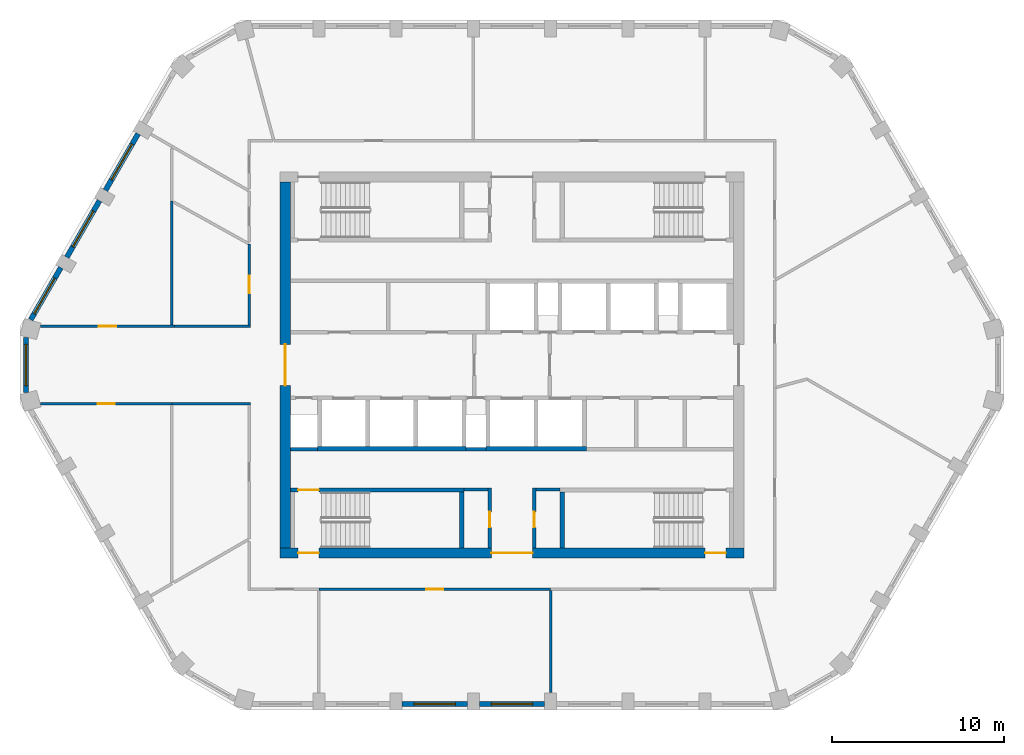
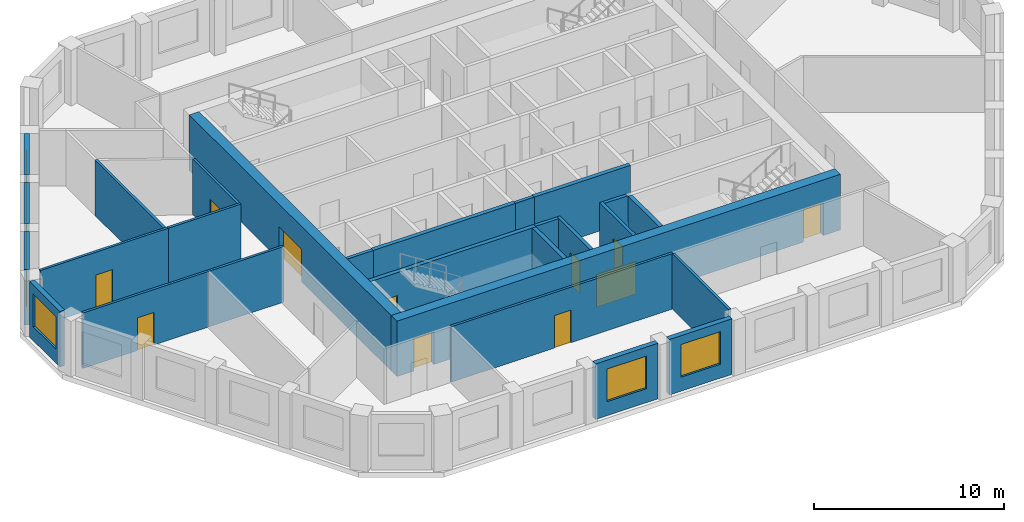
# One storey, part 2 of 7: 27 walls, 11 doors, 6 windows, 17 openings.
"""IFC4 building model written with IfcOpenShell, lengths in metres."""

from ifc_helpers import new_model, si_unit, direction, frame, frame_2d, origin, place, context, subcontext, project, spatial, polyline, rectangle, outline, extrude, material, layer, layer_set, type_object, element, fill, save


model = new_model("IFC4")

# Units and contexts
model_context = context("Model", 3, precision=1e-05, world=origin(), true_north=direction((0.0, 1.0)))
body_context = subcontext(model_context, "Body", "Model", "MODEL_VIEW")
ifc_project = project(units=[si_unit("LENGTHUNIT", "METRE"), si_unit("AREAUNIT", "SQUARE_METRE"), si_unit("VOLUMEUNIT", "CUBIC_METRE"), si_unit("PLANEANGLEUNIT", "RADIAN"), si_unit("MASSUNIT", "GRAM", prefix="KILO")], contexts=[model_context])

# Site, building, storey
site_placement = place(None, origin())
site = spatial("IfcSite", under=ifc_project, at=site_placement, CompositionType="ELEMENT")
building_placement = place(site_placement, origin())
building = spatial("IfcBuilding", under=site, at=building_placement, Name="Dhurran Vertical Campus", CompositionType="ELEMENT")
storey_placement = place(building_placement, frame((0.0, 0.0, 266.39990234375)))
storey = spatial("IfcBuildingStorey", under=building, at=storey_placement, Name="L66", CompositionType="ELEMENT", Elevation=266.39990234375)

# Wall, opening, window
ifc_material_1 = material(Name="Precast concrete C50/60", Category="concrete")
ifc_layer_1 = layer(ifc_material_1, 0.300048828125)
ifc_layer_set_1 = layer_set([ifc_layer_1], Name="Precast concrete C50/60")
wall_type_1 = type_object("IfcWallType", Name="Precast spandrel wall 300", PredefinedType="SOLIDWALL", material=ifc_layer_set_1)
wall_1_placement = place(storey_placement, frame((-6.3994140625, -19.738525390625, 0.0), z_axis=(0.0, 0.0, 1.0), x_axis=(1.0, 0.0, 0.0)))
wall_1 = element("IfcWall", 1, at=wall_1_placement, inside=storey, type_object=wall_type_1, Name="EW1 L66.02", PredefinedType="SOLIDWALL", context=body_context, shape_type="SweptSolid", body=[
    extrude(rectangle(XDim=3.798828125, YDim=0.300048828125, at=frame_2d((1.8994140625, 0.0))), origin(), (0.0, 0.0, 1.0), 3.5751953125),
])
opening_1_placement = place(wall_1_placement, frame((0.699462890625, 0.0, 0.89990234375)))
opening_1 = element("IfcOpeningElement", 2, at=opening_1_placement, cuts=wall_1, Name="Opening WT1", PredefinedType="OPENING", context=body_context, shape_type="SweptSolid", body=[
    extrude(rectangle(XDim=2.39990234375, YDim=2.10009765625, at=frame_2d((1.199951171875, 1.050048828125))), frame((0.0, 0.159912109375, 0.0), z_axis=(0.0, -1.0, 0.0), x_axis=(1.0, 0.0, 0.0)), (0.0, 0.0, 1.0), 0.320068359375),
])
ifc_material_2 = material(Name="Aluminium frame with solar-control glass", Category="aluminium")
window_type = type_object("IfcWindowType", Name="Punched window 2400 x 2100", PartitioningType="SINGLE_PANEL", PredefinedType="WINDOW", material=ifc_material_2)
window_1_placement = place(opening_1_placement, origin())
window_1 = element("IfcWindow", 3, at=window_1_placement, inside=storey, type_object=window_type, Name="WT1 L66.02", OverallHeight=2.10009765625, OverallWidth=2.39990234375, PartitioningType="SINGLE_PANEL", PredefinedType="WINDOW", context=body_context, shape_type="SweptSolid", body=[
    extrude(rectangle(XDim=2.39990234375, YDim=2.10009765625, at=frame_2d((1.199951171875, 1.050048828125))), frame((0.0, 0.030029296875, 0.0), z_axis=(0.0, -1.0, 0.0), x_axis=(1.0, 0.0, 0.0)), (0.0, 0.0, 1.0), 0.06005859375),
])
fill(opening_1, window_1)

wall_2_placement = place(storey_placement, frame((-1.8994140625, -19.738525390625, 0.0), z_axis=(0.0, 0.0, 1.0), x_axis=(1.0, 0.0, 0.0)))
wall_2 = element("IfcWall", 4, at=wall_2_placement, inside=storey, type_object=wall_type_1, Name="EW1 L66.03", PredefinedType="SOLIDWALL", context=body_context, shape_type="SweptSolid", body=[
    extrude(rectangle(XDim=3.798828125, YDim=0.300048828125, at=frame_2d((1.8994140625, 0.0))), origin(), (0.0, 0.0, 1.0), 3.5751953125),
])
opening_2_placement = place(wall_2_placement, frame((0.699462890625, 0.0, 0.89990234375)))
opening_2 = element("IfcOpeningElement", 5, at=opening_2_placement, cuts=wall_2, Name="Opening WT1", PredefinedType="OPENING", context=body_context, shape_type="SweptSolid", body=[
    extrude(rectangle(XDim=2.39990234375, YDim=2.10009765625, at=frame_2d((1.199951171875, 1.050048828125))), frame((0.0, 0.159912109375, 0.0), z_axis=(0.0, -1.0, 0.0), x_axis=(1.0, 0.0, 0.0)), (0.0, 0.0, 1.0), 0.320068359375),
])
window_2_placement = place(opening_2_placement, origin())
window_2 = element("IfcWindow", 6, at=window_2_placement, inside=storey, type_object=window_type, Name="WT1 L66.03", OverallHeight=2.10009765625, OverallWidth=2.39990234375, PartitioningType="SINGLE_PANEL", PredefinedType="WINDOW", context=body_context, shape_type="SweptSolid", body=[
    extrude(rectangle(XDim=2.39990234375, YDim=2.10009765625, at=frame_2d((1.199951171875, 1.050048828125))), frame((0.0, 0.030029296875, 0.0), z_axis=(0.0, -1.0, 0.0), x_axis=(1.0, 0.0, 0.0)), (0.0, 0.0, 1.0), 0.06005859375),
])
fill(opening_2, window_2)

wall_3_placement = place(storey_placement, frame((-21.769287109375, 13.462890625, 0.0), z_axis=(0.0, 0.0, 1.0), x_axis=(-0.499982058975, -0.866035761792, 0.0)))
wall_3 = element("IfcWall", 7, at=wall_3_placement, inside=storey, type_object=wall_type_1, Name="EW1 L66.27", PredefinedType="SOLIDWALL", context=body_context, shape_type="SweptSolid", body=[
    extrude(rectangle(XDim=3.799072265625, YDim=0.300048828125, at=frame_2d((1.8994140625, 0.0))), origin(), (0.0, 0.0, 1.0), 3.5751953125),
])
opening_3_placement = place(wall_3_placement, frame((0.699462890625, 0.0, 0.89990234375)))
opening_3 = element("IfcOpeningElement", 8, at=opening_3_placement, cuts=wall_3, Name="Opening WT1", PredefinedType="OPENING", context=body_context, shape_type="SweptSolid", body=[
    extrude(rectangle(XDim=2.39990234375, YDim=2.10009765625, at=frame_2d((1.199951171875, 1.050048828125))), frame((0.0, 0.159912109375, 0.0), z_axis=(0.0, -1.0, 0.0), x_axis=(1.0, 0.0, 0.0)), (0.0, 0.0, 1.0), 0.320068359375),
])
window_3_placement = place(opening_3_placement, origin())
window_3 = element("IfcWindow", 9, at=window_3_placement, inside=storey, type_object=window_type, Name="WT1 L66.27", OverallHeight=2.10009765625, OverallWidth=2.39990234375, PartitioningType="SINGLE_PANEL", PredefinedType="WINDOW", context=body_context, shape_type="SweptSolid", body=[
    extrude(rectangle(XDim=2.39990234375, YDim=2.10009765625, at=frame_2d((1.199951171875, 1.050048828125))), frame((0.0, 0.030029296875, 0.0), z_axis=(0.0, -1.0, 0.0), x_axis=(1.0, 0.0, 0.0)), (0.0, 0.0, 1.0), 0.06005859375),
])
fill(opening_3, window_3)

wall_4_placement = place(storey_placement, frame((-24.019287109375, 9.565673828125, 0.0), z_axis=(0.0, 0.0, 1.0), x_axis=(-0.499982058975, -0.866035761792, 0.0)))
wall_4 = element("IfcWall", 10, at=wall_4_placement, inside=storey, type_object=wall_type_1, Name="EW1 L66.28", PredefinedType="SOLIDWALL", context=body_context, shape_type="SweptSolid", body=[
    extrude(rectangle(XDim=3.799072265625, YDim=0.300048828125, at=frame_2d((1.8994140625, 0.0))), origin(), (0.0, 0.0, 1.0), 3.5751953125),
])
opening_4_placement = place(wall_4_placement, frame((0.699462890625, 0.0, 0.89990234375)))
opening_4 = element("IfcOpeningElement", 11, at=opening_4_placement, cuts=wall_4, Name="Opening WT1", PredefinedType="OPENING", context=body_context, shape_type="SweptSolid", body=[
    extrude(rectangle(XDim=2.39990234375, YDim=2.10009765625, at=frame_2d((1.199951171875, 1.050048828125))), frame((0.0, 0.159912109375, 0.0), z_axis=(0.0, -1.0, 0.0), x_axis=(1.0, 0.0, 0.0)), (0.0, 0.0, 1.0), 0.320068359375),
])
window_4_placement = place(opening_4_placement, origin())
window_4 = element("IfcWindow", 12, at=window_4_placement, inside=storey, type_object=window_type, Name="WT1 L66.28", OverallHeight=2.10009765625, OverallWidth=2.39990234375, PartitioningType="SINGLE_PANEL", PredefinedType="WINDOW", context=body_context, shape_type="SweptSolid", body=[
    extrude(rectangle(XDim=2.39990234375, YDim=2.10009765625, at=frame_2d((1.199951171875, 1.050048828125))), frame((0.0, 0.030029296875, 0.0), z_axis=(0.0, -1.0, 0.0), x_axis=(1.0, 0.0, 0.0)), (0.0, 0.0, 1.0), 0.06005859375),
])
fill(opening_4, window_4)

wall_5_placement = place(storey_placement, frame((-26.269287109375, 5.668701171875, 0.0), z_axis=(0.0, 0.0, 1.0), x_axis=(-0.499990325971, -0.866030989016, 0.0)))
wall_5 = element("IfcWall", 13, at=wall_5_placement, inside=storey, type_object=wall_type_1, Name="EW1 L66.29", PredefinedType="SOLIDWALL", context=body_context, shape_type="SweptSolid", body=[
    extrude(rectangle(XDim=3.49755859375, YDim=0.300048828125, at=frame_2d((1.748779296875, 0.0))), origin(), (0.0, 0.0, 1.0), 3.5751953125),
])
opening_5_placement = place(wall_5_placement, frame((0.699462890625, 0.0, 0.89990234375)))
opening_5 = element("IfcOpeningElement", 14, at=opening_5_placement, cuts=wall_5, Name="Opening WT1", PredefinedType="OPENING", context=body_context, shape_type="SweptSolid", body=[
    extrude(rectangle(XDim=2.39990234375, YDim=2.10009765625, at=frame_2d((1.199951171875, 1.050048828125))), frame((0.0, 0.159912109375, 0.0), z_axis=(0.0, -1.0, 0.0), x_axis=(1.0, 0.0, 0.0)), (0.0, 0.0, 1.0), 0.320068359375),
])
window_5_placement = place(opening_5_placement, origin())
window_5 = element("IfcWindow", 15, at=window_5_placement, inside=storey, type_object=window_type, Name="WT1 L66.29", OverallHeight=2.10009765625, OverallWidth=2.39990234375, PartitioningType="SINGLE_PANEL", PredefinedType="WINDOW", context=body_context, shape_type="SweptSolid", body=[
    extrude(rectangle(XDim=2.39990234375, YDim=2.10009765625, at=frame_2d((1.199951171875, 1.050048828125))), frame((0.0, 0.030029296875, 0.0), z_axis=(0.0, -1.0, 0.0), x_axis=(1.0, 0.0, 0.0)), (0.0, 0.0, 1.0), 0.06005859375),
])
fill(opening_5, window_5)

wall_6_placement = place(storey_placement, frame((-28.297119140625, 1.59814453125, 0.0), z_axis=(0.0, 0.0, 1.0), x_axis=(0.0, -1.0, 0.0)))
wall_6 = element("IfcWall", 16, at=wall_6_placement, inside=storey, type_object=wall_type_1, Name="EW1 L66.30", PredefinedType="SOLIDWALL", context=body_context, shape_type="SweptSolid", body=[
    extrude(rectangle(XDim=3.1962890625, YDim=0.300048828125, at=frame_2d((1.59814453125, 0.0))), origin(), (0.0, 0.0, 1.0), 3.5751953125),
])
opening_6_placement = place(wall_6_placement, frame((0.398193359375, 0.0, 0.89990234375)))
opening_6 = element("IfcOpeningElement", 17, at=opening_6_placement, cuts=wall_6, Name="Opening WT1", PredefinedType="OPENING", context=body_context, shape_type="SweptSolid", body=[
    extrude(rectangle(XDim=2.39990234375, YDim=2.10009765625, at=frame_2d((1.199951171875, 1.050048828125))), frame((0.0, 0.159912109375, 0.0), z_axis=(0.0, -1.0, 0.0), x_axis=(1.0, 0.0, 0.0)), (0.0, 0.0, 1.0), 0.320068359375),
])
window_6_placement = place(opening_6_placement, origin())
window_6 = element("IfcWindow", 18, at=window_6_placement, inside=storey, type_object=window_type, Name="WT1 L66.30", OverallHeight=2.10009765625, OverallWidth=2.39990234375, PartitioningType="SINGLE_PANEL", PredefinedType="WINDOW", context=body_context, shape_type="SweptSolid", body=[
    extrude(rectangle(XDim=2.39990234375, YDim=2.10009765625, at=frame_2d((1.199951171875, 1.050048828125))), frame((0.0, 0.030029296875, 0.0), z_axis=(0.0, -1.0, 0.0), x_axis=(1.0, 0.0, 0.0)), (0.0, 0.0, 1.0), 0.06005859375),
])
fill(opening_6, window_6)

# Wall, openings, doors
ifc_material_3 = material(Name="Concrete C50/60", Category="concrete")
ifc_layer_2 = layer(ifc_material_3, 0.60009765625)
ifc_layer_set_2 = layer_set([ifc_layer_2], Name="Concrete C50/60")
wall_type_2 = type_object("IfcWallType", Name="co-CORE-WALL-C2-600", PredefinedType="SHEAR", material=ifc_layer_set_2)
wall_7_placement = place(storey_placement, frame((-13.5, -10.949951171875, 0.0), z_axis=(0.0, 0.0, 1.0), x_axis=(1.0, 0.0, 0.0)))
wall_7 = element("IfcWall", 19, at=wall_7_placement, inside=storey, type_object=wall_type_2, Name="Core wall S L66", PredefinedType="SHEAR", context=body_context, shape_type="SweptSolid", body=[
    extrude(rectangle(XDim=27.0, YDim=0.60009765625, at=frame_2d((13.5, 0.0))), origin(), (0.0, 0.0, 1.0), 3.5751953125),
])
opening_7_placement = place(wall_7_placement, frame((12.300048828125, 0.0, 0.0)))
opening_7 = element("IfcOpeningElement", 20, at=opening_7_placement, cuts=wall_7, Name="Opening CV2", PredefinedType="OPENING", context=body_context, shape_type="SweptSolid", body=[
    extrude(rectangle(XDim=2.39990234375, YDim=2.10009765625, at=frame_2d((1.199951171875, 1.050048828125))), frame((0.0, 0.31005859375, 0.0), z_axis=(0.0, -1.0, 0.0), x_axis=(1.0, 0.0, 0.0)), (0.0, 0.0, 1.0), 0.6201171875),
])
opening_8_placement = place(wall_7_placement, frame((1.050048828125, 0.0, 0.0)))
opening_8 = element("IfcOpeningElement", 21, at=opening_8_placement, cuts=wall_7, Name="Opening XD3", PredefinedType="OPENING", context=body_context, shape_type="SweptSolid", body=[
    extrude(rectangle(XDim=1.199951171875, YDim=2.10009765625, at=frame_2d((0.60009765625, 1.050048828125))), frame((0.0, 0.31005859375, 0.0), z_axis=(0.0, -1.0, 0.0), x_axis=(1.0, 0.0, 0.0)), (0.0, 0.0, 1.0), 0.6201171875),
])
opening_9_placement = place(wall_7_placement, frame((24.75, 0.0, 0.0)))
opening_9 = element("IfcOpeningElement", 22, at=opening_9_placement, cuts=wall_7, Name="Opening XD4", PredefinedType="OPENING", context=body_context, shape_type="SweptSolid", body=[
    extrude(rectangle(XDim=1.199951171875, YDim=2.10009765625, at=frame_2d((0.60009765625, 1.050048828125))), frame((0.0, 0.31005859375, 0.0), z_axis=(0.0, -1.0, 0.0), x_axis=(1.0, 0.0, 0.0)), (0.0, 0.0, 1.0), 0.6201171875),
])
ifc_material_4 = material(Name="Fire-rated glazed door set")
door_type_1 = type_object("IfcDoorType", Name="co-D-LOBBY 2400x2100", OperationType="DOUBLE_DOOR_DOUBLE_SWING", PredefinedType="DOOR", material=ifc_material_4)
door_1_placement = place(opening_7_placement, origin())
door_1 = element("IfcDoor", 23, at=door_1_placement, inside=storey, type_object=door_type_1, Name="Core vestibule door S L66", OperationType="DOUBLE_DOOR_DOUBLE_SWING", OverallHeight=2.10009765625, OverallWidth=2.39990234375, PredefinedType="DOOR", context=body_context, shape_type="SweptSolid", body=[
    extrude(rectangle(XDim=2.39990234375, YDim=2.10009765625, at=frame_2d((1.199951171875, 1.050048828125))), frame((0.0, 0.02490234375, 0.0), z_axis=(0.0, -1.0, 0.0), x_axis=(1.0, 0.0, 0.0)), (0.0, 0.0, 1.0), 0.050048828125),
])
fill(opening_7, door_1)
ifc_material_5 = material(Name="Fire-rated steel door set", Category="steel")
door_type_2 = type_object("IfcDoorType", Name="co-D-STAIR-EXIT 1200x2100", OperationType="SINGLE_SWING_RIGHT", PredefinedType="DOOR", material=ifc_material_5)
door_2_placement = place(opening_8_placement, origin())
door_2 = element("IfcDoor", 24, at=door_2_placement, inside=storey, type_object=door_type_2, Name="Stair ST3 exit door L66", OperationType="SINGLE_SWING_RIGHT", OverallHeight=2.10009765625, OverallWidth=1.199951171875, PredefinedType="DOOR", context=body_context, shape_type="SweptSolid", body=[
    extrude(rectangle(XDim=1.199951171875, YDim=2.10009765625, at=frame_2d((0.60009765625, 1.050048828125))), frame((0.0, 0.02490234375, 0.0), z_axis=(0.0, -1.0, 0.0), x_axis=(1.0, 0.0, 0.0)), (0.0, 0.0, 1.0), 0.050048828125),
])
fill(opening_8, door_2)
door_3_placement = place(opening_9_placement, origin())
door_3 = element("IfcDoor", 25, at=door_3_placement, inside=storey, type_object=door_type_2, Name="Stair ST4 exit door L66", OperationType="SINGLE_SWING_RIGHT", OverallHeight=2.10009765625, OverallWidth=1.199951171875, PredefinedType="DOOR", context=body_context, shape_type="SweptSolid", body=[
    extrude(rectangle(XDim=1.199951171875, YDim=2.10009765625, at=frame_2d((0.60009765625, 1.050048828125))), frame((0.0, 0.02490234375, 0.0), z_axis=(0.0, -1.0, 0.0), x_axis=(1.0, 0.0, 0.0)), (0.0, 0.0, 1.0), 0.050048828125),
])
fill(opening_9, door_3)

# Wall, opening, door
wall_8_placement = place(storey_placement, frame((-13.199951171875, -10.64990234375, 0.0), z_axis=(0.0, 0.0, 1.0), x_axis=(0.0, 1.0, 0.0)))
wall_8 = element("IfcWall", 26, at=wall_8_placement, inside=storey, type_object=wall_type_2, Name="Core wall W L66", PredefinedType="SHEAR", context=body_context, shape_type="SweptSolid", body=[
    extrude(rectangle(XDim=21.2998046875, YDim=0.60009765625, at=frame_2d((10.64990234375, 0.0))), origin(), (0.0, 0.0, 1.0), 3.5751953125),
])
opening_10_placement = place(wall_8_placement, frame((9.449951171875, 0.0, 0.0)))
opening_10 = element("IfcOpeningElement", 27, at=opening_10_placement, cuts=wall_8, Name="Opening CL1", PredefinedType="OPENING", context=body_context, shape_type="SweptSolid", body=[
    extrude(rectangle(XDim=2.39990234375, YDim=2.10009765625, at=frame_2d((1.199951171875, 1.050048828125))), frame((0.0, 0.31005859375, 0.0), z_axis=(0.0, -1.0, 0.0), x_axis=(1.0, 0.0, 0.0)), (0.0, 0.0, 1.0), 0.6201171875),
])
door_4_placement = place(opening_10_placement, origin())
door_4 = element("IfcDoor", 28, at=door_4_placement, inside=storey, type_object=door_type_1, Name="Lift lobby door W L66", OperationType="DOUBLE_DOOR_DOUBLE_SWING", OverallHeight=2.10009765625, OverallWidth=2.39990234375, PredefinedType="DOOR", context=body_context, shape_type="SweptSolid", body=[
    extrude(rectangle(XDim=2.39990234375, YDim=2.10009765625, at=frame_2d((1.199951171875, 1.050048828125))), frame((0.0, 0.02490234375, 0.0), z_axis=(0.0, -1.0, 0.0), x_axis=(1.0, 0.0, 0.0)), (0.0, 0.0, 1.0), 0.050048828125),
])
fill(opening_10, door_4)

# Walls
ifc_material_6 = material(Name="Fire-rated masonry blockwork", Category="masonry")
ifc_layer_3 = layer(ifc_material_6, 0.199951171875)
ifc_layer_set_3 = layer_set([ifc_layer_3], Name="Fire-rated masonry blockwork")
wall_type_3 = type_object("IfcWallType", Name="co-FIRE-PARTITION-200", PredefinedType="PARTITIONING", material=ifc_layer_set_3)
for number, where, z_axis, x_axis, name in (
    (29, (-2.800048828125, -7.25, 0.0), (0.0, 0.0, 1.0), (1.0, 0.0, 0.0), "Core partition sl-SW-S L66"),
    (30, (1.39990234375, -7.25, 0.0), (0.0, 0.0, 1.0), (1.0, 0.0, 0.0), "Core partition sl-SE-S L66"),
):
    element("IfcWall", number, at=place(storey_placement, frame(where, z_axis=z_axis, x_axis=x_axis)), inside=storey, type_object=wall_type_3, Name=name, PredefinedType="PARTITIONING", context=body_context, shape_type="SweptSolid", body=[
        extrude(rectangle(XDim=1.400146484375, YDim=0.199951171875, at=frame_2d((0.7001953125, 0.0))), origin(), (0.0, 0.0, 1.0), 3.5751953125),
    ])

# Wall, opening, door
wall_9_placement = place(storey_placement, frame((-1.300048828125, -10.64990234375, 0.0), z_axis=(0.0, 0.0, 1.0), x_axis=(0.0, 1.0, 0.0)))
wall_9 = element("IfcWall", 31, at=wall_9_placement, inside=storey, type_object=wall_type_3, Name="Core partition vest-SW L66", PredefinedType="PARTITIONING", context=body_context, shape_type="SweptSolid", body=[
    extrude(rectangle(XDim=3.5, YDim=0.199951171875, at=frame_2d((1.75, 0.0))), origin(), (0.0, 0.0, 1.0), 3.5751953125),
])
opening_11_placement = place(wall_9_placement, frame((1.199951171875, 0.0, 0.0)))
opening_11 = element("IfcOpeningElement", 32, at=opening_11_placement, cuts=wall_9, Name="Opening T19-C1", PredefinedType="OPENING", context=body_context, shape_type="SweptSolid", body=[
    extrude(rectangle(XDim=0.89990234375, YDim=2.10009765625, at=frame_2d((0.449951171875, 1.050048828125))), frame((0.0, 0.10986328125, 0.0), z_axis=(0.0, -1.0, 0.0), x_axis=(1.0, 0.0, 0.0)), (0.0, 0.0, 1.0), 0.219970703125),
])
ifc_material_7 = material(Name="Fire-rated timber door set", Category="wood")
door_type_3 = type_object("IfcDoorType", Name="co-D-ROOM 900x2100", OperationType="SINGLE_SWING_LEFT", PredefinedType="DOOR", material=ifc_material_7)
door_5_placement = place(opening_11_placement, origin())
door_5 = element("IfcDoor", 33, at=door_5_placement, inside=storey, type_object=door_type_3, Name="Cleaner's store door L66", OperationType="SINGLE_SWING_LEFT", OverallHeight=2.10009765625, OverallWidth=0.89990234375, PredefinedType="DOOR", context=body_context, shape_type="SweptSolid", body=[
    extrude(rectangle(XDim=0.89990234375, YDim=2.10009765625, at=frame_2d((0.449951171875, 1.050048828125))), frame((0.0, 0.02490234375, 0.0), z_axis=(0.0, -1.0, 0.0), x_axis=(1.0, 0.0, 0.0)), (0.0, 0.0, 1.0), 0.050048828125),
])
fill(opening_11, door_5)

wall_10_placement = place(storey_placement, frame((1.300048828125, -10.64990234375, 0.0), z_axis=(0.0, 0.0, 1.0), x_axis=(0.0, 1.0, 0.0)))
wall_10 = element("IfcWall", 34, at=wall_10_placement, inside=storey, type_object=wall_type_3, Name="Core partition vest-SE L66", PredefinedType="PARTITIONING", context=body_context, shape_type="SweptSolid", body=[
    extrude(rectangle(XDim=3.5, YDim=0.199951171875, at=frame_2d((1.75, 0.0))), origin(), (0.0, 0.0, 1.0), 3.5751953125),
])
opening_12_placement = place(wall_10_placement, frame((1.199951171875, 0.0, 0.0)))
opening_12 = element("IfcOpeningElement", 35, at=opening_12_placement, cuts=wall_10, Name="Opening T19-C2", PredefinedType="OPENING", context=body_context, shape_type="SweptSolid", body=[
    extrude(rectangle(XDim=0.89990234375, YDim=2.10009765625, at=frame_2d((0.449951171875, 1.050048828125))), frame((0.0, 0.10986328125, 0.0), z_axis=(0.0, -1.0, 0.0), x_axis=(1.0, 0.0, 0.0)), (0.0, 0.0, 1.0), 0.219970703125),
])
door_6_placement = place(opening_12_placement, origin())
door_6 = element("IfcDoor", 36, at=door_6_placement, inside=storey, type_object=door_type_3, Name="Communications room door L66", OperationType="SINGLE_SWING_LEFT", OverallHeight=2.10009765625, OverallWidth=0.89990234375, PredefinedType="DOOR", context=body_context, shape_type="SweptSolid", body=[
    extrude(rectangle(XDim=0.89990234375, YDim=2.10009765625, at=frame_2d((0.449951171875, 1.050048828125))), frame((0.0, 0.02490234375, 0.0), z_axis=(0.0, -1.0, 0.0), x_axis=(1.0, 0.0, 0.0)), (0.0, 0.0, 1.0), 0.050048828125),
])
fill(opening_12, door_6)

# Walls
wall_11_placement = place(storey_placement, frame((-12.89990234375, -4.89990234375, 0.0), z_axis=(0.0, 0.0, 1.0), x_axis=(1.0, 0.0, 0.0)))
element("IfcWall", 37, at=wall_11_placement, inside=storey, type_object=wall_type_3, Name="Core partition fr-S0-b L66", PredefinedType="PARTITIONING", context=body_context, shape_type="SweptSolid", body=[
    extrude(rectangle(XDim=1.574951171875, YDim=0.199951171875, at=frame_2d((0.78759765625, 0.0))), origin(), (0.0, 0.0, 1.0), 3.5751953125),
])
wall_12_placement = place(storey_placement, frame((-2.675048828125, -4.89990234375, 0.0), z_axis=(0.0, 0.0, 1.0), x_axis=(1.0, 0.0, 0.0)))
element("IfcWall", 38, at=wall_12_placement, inside=storey, type_object=wall_type_3, Name="Core partition fr-S1-b L66", PredefinedType="PARTITIONING", context=body_context, shape_type="SweptSolid", body=[
    extrude(rectangle(XDim=1.150146484375, YDim=0.199951171875, at=frame_2d((0.5751953125, 0.0))), origin(), (0.0, 0.0, 1.0), 3.5751953125),
])
ifc_material_8 = material(Name="Concrete C50/60", Category="concrete")
ifc_layer_4 = layer(ifc_material_8, 0.25)
ifc_layer_set_4 = layer_set([ifc_layer_4], Name="Concrete C50/60")
wall_type_4 = type_object("IfcWallType", Name="co-SHAFT-MASS-250", PredefinedType="SHEAR", material=ifc_layer_set_4)
wall_13_placement = place(storey_placement, origin())
element("IfcWall", 39, at=wall_13_placement, inside=storey, type_object=wall_type_4, Name="Lift shaft wall S L66 1", PredefinedType="SHEAR", context=body_context, shape_type="SweptSolid", body=[
    extrude(outline(polyline([(-11.324951171875, -5.0), (-2.675048828125, -5.0), (-2.675048828125, -4.75), (-11.324951171875, -4.75), (-11.324951171875, -5.0)])), origin(), (0.0, 0.0, 1.0), 3.5751953125),
])
wall_14_placement = place(storey_placement, origin())
element("IfcWall", 40, at=wall_14_placement, inside=storey, type_object=wall_type_4, Name="Lift shaft wall S L66 2", PredefinedType="SHEAR", context=body_context, shape_type="SweptSolid", body=[
    extrude(outline(polyline([(-1.52490234375, -5.0), (4.324951171875, -5.0), (4.324951171875, -4.75), (-1.52490234375, -4.75), (-1.52490234375, -5.0)])), origin(), (0.0, 0.0, 1.0), 3.5751953125),
])

# Wall, opening, door
ifc_material_9 = material(Name="Concrete C40/50", Category="concrete")
ifc_layer_5 = layer(ifc_material_9, 0.25)
ifc_layer_set_5 = layer_set([ifc_layer_5], Name="Concrete C40/50")
wall_type_5 = type_object("IfcWallType", Name="co-STAIR-WALL-250", PredefinedType="SHEAR", material=ifc_layer_set_5)
wall_15_placement = place(storey_placement, frame((-12.89990234375, -7.27490234375, 0.0), z_axis=(0.0, 0.0, 1.0), x_axis=(1.0, 0.0, 0.0)))
wall_15 = element("IfcWall", 41, at=wall_15_placement, inside=storey, type_object=wall_type_5, Name="Stair ST3 enclosure wall L66", PredefinedType="SHEAR", context=body_context, shape_type="SweptSolid", body=[
    extrude(rectangle(XDim=10.099853515625, YDim=0.25, at=frame_2d((5.0498046875, 0.0))), origin(), (0.0, 0.0, 1.0), 3.5751953125),
])
opening_13_placement = place(wall_15_placement, frame((0.449951171875, 0.0, 0.0)))
opening_13 = element("IfcOpeningElement", 42, at=opening_13_placement, cuts=wall_15, Name="Opening SD3", PredefinedType="OPENING", context=body_context, shape_type="SweptSolid", body=[
    extrude(rectangle(XDim=1.199951171875, YDim=2.10009765625, at=frame_2d((0.60009765625, 1.050048828125))), frame((0.0, 0.135009765625, 0.0), z_axis=(0.0, -1.0, 0.0), x_axis=(1.0, 0.0, 0.0)), (0.0, 0.0, 1.0), 0.27001953125),
])
ifc_material_10 = material(Name="Fire-rated steel door set", Category="steel")
door_type_4 = type_object("IfcDoorType", Name="co-D-STAIR 1200x2100", OperationType="SINGLE_SWING_LEFT", PredefinedType="DOOR", material=ifc_material_10)
door_7_placement = place(opening_13_placement, origin())
door_7 = element("IfcDoor", 43, at=door_7_placement, inside=storey, type_object=door_type_4, Name="Stair ST3 door L66", OperationType="SINGLE_SWING_LEFT", OverallHeight=2.10009765625, OverallWidth=1.199951171875, PredefinedType="DOOR", context=body_context, shape_type="SweptSolid", body=[
    extrude(rectangle(XDim=1.199951171875, YDim=2.10009765625, at=frame_2d((0.60009765625, 1.050048828125))), frame((0.0, 0.02490234375, 0.0), z_axis=(0.0, -1.0, 0.0), x_axis=(1.0, 0.0, 0.0)), (0.0, 0.0, 1.0), 0.050048828125),
])
fill(opening_13, door_7)

# Walls
for number, where, z_axis, x_axis, name in (
    (44, (-2.925048828125, -10.64990234375, 0.0), (0.0, 0.0, 1.0), (0.0, 1.0, 0.0), "Stair ST3 enclosure wall L66"),
    (45, (2.925048828125, -10.64990234375, 0.0), (0.0, 0.0, 1.0), (0.0, 1.0, 0.0), "Stair ST4 enclosure wall L66"),
):
    element("IfcWall", number, at=place(storey_placement, frame(where, z_axis=z_axis, x_axis=x_axis)), inside=storey, type_object=wall_type_5, Name=name, PredefinedType="SHEAR", context=body_context, shape_type="SweptSolid", body=[
        extrude(rectangle(XDim=3.25, YDim=0.25, at=frame_2d((1.625, 0.0))), origin(), (0.0, 0.0, 1.0), 3.5751953125),
    ])

# Wall, opening, door
ifc_material_11 = material(Name="Gypsum board corridor wall on steel studs", Category="steel")
ifc_layer_6 = layer(ifc_material_11, 0.14990234375)
ifc_layer_set_6 = layer_set([ifc_layer_6], Name="Gypsum board corridor wall on steel studs")
wall_type_6 = type_object("IfcWallType", Name="fl-CW-150 corridor wall", PredefinedType="PARTITIONING", material=ifc_layer_set_6)
wall_16_placement = place(storey_placement, frame((-19.800048828125, -2.25, 0.0), z_axis=(0.0, 0.0, 1.0), x_axis=(-1.0, 0.0, 0.0)))
wall_16 = element("IfcWall", 46, at=wall_16_placement, inside=storey, type_object=wall_type_6, Name="Partition 66-01", PredefinedType="PARTITIONING", context=body_context, shape_type="SweptSolid", body=[
    extrude(rectangle(XDim=7.65234375, YDim=0.14990234375, at=frame_2d((3.826171875, 0.0))), origin(), (0.0, 0.0, 1.0), 3.5751953125),
])
opening_14_placement = place(wall_16_placement, frame((3.326171875, 0.0, 0.0)))
opening_14 = element("IfcOpeningElement", 47, at=opening_14_placement, cuts=wall_16, Name="Opening T19.01", PredefinedType="OPENING", context=body_context, shape_type="SweptSolid", body=[
    extrude(rectangle(XDim=1.0, YDim=2.10009765625, at=frame_2d((0.5, 1.050048828125))), frame((0.0, 0.0849609375, 0.0), z_axis=(0.0, -1.0, 0.0), x_axis=(1.0, 0.0, 0.0)), (0.0, 0.0, 1.0), 0.169921875),
])
ifc_material_12 = material(Name="Solid-core timber door set, fire-rated", Category="wood")
door_type_5 = type_object("IfcDoorType", Name="fl-D-1000x2100", OperationType="SINGLE_SWING_LEFT", PredefinedType="DOOR", material=ifc_material_12)
door_8_placement = place(opening_14_placement, origin())
door_8 = element("IfcDoor", 48, at=door_8_placement, inside=storey, type_object=door_type_5, Name="Door 66.01", OperationType="SINGLE_SWING_RIGHT", OverallHeight=2.10009765625, OverallWidth=1.0, PredefinedType="DOOR", context=body_context, shape_type="SweptSolid", body=[
    extrude(rectangle(XDim=1.0, YDim=2.10009765625, at=frame_2d((0.5, 1.050048828125))), frame((0.0, 0.02490234375, 0.0), z_axis=(0.0, -1.0, 0.0), x_axis=(1.0, 0.0, 0.0)), (0.0, 0.0, 1.0), 0.050048828125),
])
fill(opening_14, door_8)

wall_17_placement = place(storey_placement, frame((-27.452392578125, 2.25, 0.0), z_axis=(0.0, 0.0, 1.0), x_axis=(1.0, 0.0, 0.0)))
wall_17 = element("IfcWall", 49, at=wall_17_placement, inside=storey, type_object=wall_type_6, Name="Partition 66-02", PredefinedType="PARTITIONING", context=body_context, shape_type="SweptSolid", body=[
    extrude(rectangle(XDim=7.805419921875, YDim=0.14990234375, at=frame_2d((3.90283203125, 0.0))), origin(), (0.0, 0.0, 1.0), 3.5751953125),
])
opening_15_placement = place(wall_17_placement, frame((3.402587890625, 0.0, 0.0)))
opening_15 = element("IfcOpeningElement", 50, at=opening_15_placement, cuts=wall_17, Name="Opening T19.02", PredefinedType="OPENING", context=body_context, shape_type="SweptSolid", body=[
    extrude(rectangle(XDim=1.0, YDim=2.10009765625, at=frame_2d((0.5, 1.050048828125))), frame((0.0, 0.0849609375, 0.0), z_axis=(0.0, -1.0, 0.0), x_axis=(1.0, 0.0, 0.0)), (0.0, 0.0, 1.0), 0.169921875),
])
door_9_placement = place(opening_15_placement, origin())
door_9 = element("IfcDoor", 51, at=door_9_placement, inside=storey, type_object=door_type_5, Name="Door 66.02", OperationType="SINGLE_SWING_RIGHT", OverallHeight=2.10009765625, OverallWidth=1.0, PredefinedType="DOOR", context=body_context, shape_type="SweptSolid", body=[
    extrude(rectangle(XDim=1.0, YDim=2.10009765625, at=frame_2d((0.5, 1.050048828125))), frame((0.0, 0.02490234375, 0.0), z_axis=(0.0, -1.0, 0.0), x_axis=(1.0, 0.0, 0.0)), (0.0, 0.0, 1.0), 0.050048828125),
])
fill(opening_15, door_9)

# Walls
wall_18_placement = place(storey_placement, frame((-15.22509765625, -2.25, 0.0), z_axis=(0.0, 0.0, 1.0), x_axis=(-1.0, 0.0, 0.0)))
element("IfcWall", 52, at=wall_18_placement, inside=storey, type_object=wall_type_6, Name="Partition 66-07", PredefinedType="PARTITIONING", context=body_context, shape_type="SweptSolid", body=[
    extrude(rectangle(XDim=4.574951171875, YDim=0.14990234375, at=frame_2d((2.28759765625, 0.0))), origin(), (0.0, 0.0, 1.0), 3.5751953125),
])
wall_19_placement = place(storey_placement, frame((-19.64697265625, 2.25, 0.0), z_axis=(0.0, 0.0, 1.0), x_axis=(1.0, 0.0, 0.0)))
element("IfcWall", 53, at=wall_19_placement, inside=storey, type_object=wall_type_6, Name="Partition 66-12", PredefinedType="PARTITIONING", context=body_context, shape_type="SweptSolid", body=[
    extrude(rectangle(XDim=4.421875, YDim=0.14990234375, at=frame_2d((2.2109375, 0.0))), origin(), (0.0, 0.0, 1.0), 3.5751953125),
])

# Wall, opening, door
wall_20_placement = place(storey_placement, frame((-15.300048828125, 7.0439453125, 0.0), z_axis=(0.0, 0.0, 1.0), x_axis=(0.0, -1.0, 0.0)))
wall_20 = element("IfcWall", 54, at=wall_20_placement, inside=storey, type_object=wall_type_6, Name="Partition 66-17", PredefinedType="PARTITIONING", context=body_context, shape_type="SweptSolid", body=[
    extrude(rectangle(XDim=4.718994140625, YDim=0.14990234375, at=frame_2d((2.359375, 0.0))), origin(), (0.0, 0.0, 1.0), 3.5751953125),
])
opening_16_placement = place(wall_20_placement, frame((1.859619140625, 0.0, 0.0)))
opening_16 = element("IfcOpeningElement", 55, at=opening_16_placement, cuts=wall_20, Name="Opening T19.03", PredefinedType="OPENING", context=body_context, shape_type="SweptSolid", body=[
    extrude(rectangle(XDim=1.0, YDim=2.10009765625, at=frame_2d((0.5, 1.050048828125))), frame((0.0, 0.0849609375, 0.0), z_axis=(0.0, -1.0, 0.0), x_axis=(1.0, 0.0, 0.0)), (0.0, 0.0, 1.0), 0.169921875),
])
door_10_placement = place(opening_16_placement, origin())
door_10 = element("IfcDoor", 56, at=door_10_placement, inside=storey, type_object=door_type_5, Name="Door 66.03", OperationType="SINGLE_SWING_LEFT", OverallHeight=2.10009765625, OverallWidth=1.0, PredefinedType="DOOR", context=body_context, shape_type="SweptSolid", body=[
    extrude(rectangle(XDim=1.0, YDim=2.10009765625, at=frame_2d((0.5, 1.050048828125))), frame((0.0, 0.02490234375, 0.0), z_axis=(0.0, -1.0, 0.0), x_axis=(1.0, 0.0, 0.0)), (0.0, 0.0, 1.0), 0.050048828125),
])
fill(opening_16, door_10)

wall_21_placement = place(storey_placement, frame((-11.25, -13.050048828125, 0.0), z_axis=(0.0, 0.0, 1.0), x_axis=(1.0, 0.0, 0.0)))
wall_21 = element("IfcWall", 57, at=wall_21_placement, inside=storey, type_object=wall_type_6, Name="Partition 66-23", PredefinedType="PARTITIONING", context=body_context, shape_type="SweptSolid", body=[
    extrude(rectangle(XDim=13.5, YDim=0.14990234375, at=frame_2d((6.75, 0.0))), origin(), (0.0, 0.0, 1.0), 3.5751953125),
])
opening_17_placement = place(wall_21_placement, frame((6.25, 0.0, 0.0)))
opening_17 = element("IfcOpeningElement", 58, at=opening_17_placement, cuts=wall_21, Name="Opening T19.09", PredefinedType="OPENING", context=body_context, shape_type="SweptSolid", body=[
    extrude(rectangle(XDim=1.0, YDim=2.10009765625, at=frame_2d((0.5, 1.050048828125))), frame((0.0, 0.0849609375, 0.0), z_axis=(0.0, -1.0, 0.0), x_axis=(1.0, 0.0, 0.0)), (0.0, 0.0, 1.0), 0.169921875),
])
door_11_placement = place(opening_17_placement, origin())
door_11 = element("IfcDoor", 59, at=door_11_placement, inside=storey, type_object=door_type_5, Name="Door 66.09", OperationType="SINGLE_SWING_RIGHT", OverallHeight=2.10009765625, OverallWidth=1.0, PredefinedType="DOOR", context=body_context, shape_type="SweptSolid", body=[
    extrude(rectangle(XDim=1.0, YDim=2.10009765625, at=frame_2d((0.5, 1.050048828125))), frame((0.0, 0.02490234375, 0.0), z_axis=(0.0, -1.0, 0.0), x_axis=(1.0, 0.0, 0.0)), (0.0, 0.0, 1.0), 0.050048828125),
])
fill(opening_17, door_11)

# Walls
ifc_material_13 = material(Name="Gypsum board partition on steel studs", Category="steel")
ifc_layer_7 = layer(ifc_material_13, 0.14990234375)
ifc_layer_set_7 = layer_set([ifc_layer_7], Name="Gypsum board partition on steel studs")
wall_type_7 = type_object("IfcWallType", Name="fl-PW-150 fixed partition", PredefinedType="PARTITIONING", material=ifc_layer_set_7)
wall_22_placement = place(storey_placement, frame((-19.800048828125, 9.54296875, 0.0), z_axis=(0.0, 0.0, 1.0), x_axis=(0.0, -1.0, 0.0)))
element("IfcWall", 60, at=wall_22_placement, inside=storey, type_object=wall_type_7, Name="Partition 66-08", PredefinedType="PARTITIONING", context=body_context, shape_type="SweptSolid", body=[
    extrude(rectangle(XDim=7.215087890625, YDim=0.14990234375, at=frame_2d((3.607421875, 0.0))), origin(), (0.0, 0.0, 1.0), 3.5751953125),
])
wall_23_placement = place(storey_placement, frame((2.25, -13.125, 0.0), z_axis=(0.0, 0.0, 1.0), x_axis=(0.0, -1.0, 0.0)))
element("IfcWall", 61, at=wall_23_placement, inside=storey, type_object=wall_type_7, Name="Partition 66-26", PredefinedType="PARTITIONING", context=body_context, shape_type="SweptSolid", body=[
    extrude(rectangle(XDim=5.943603515625, YDim=0.14990234375, at=frame_2d((2.9716796875, 0.0))), origin(), (0.0, 0.0, 1.0), 3.5751953125),
])

save(model, "model.ifc")
